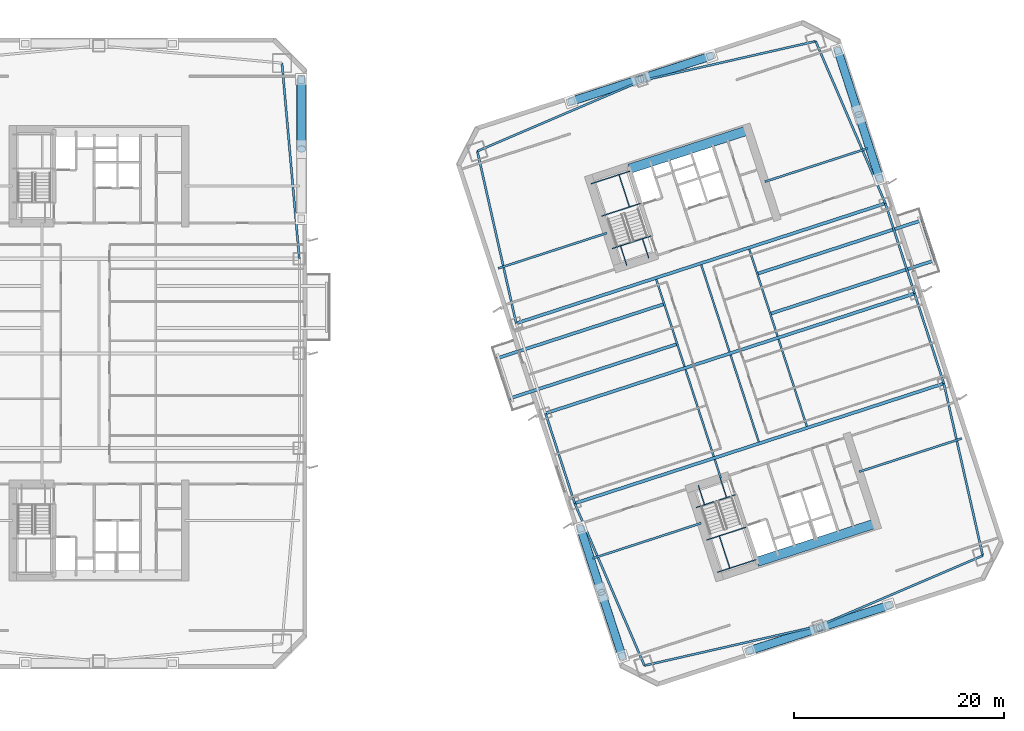
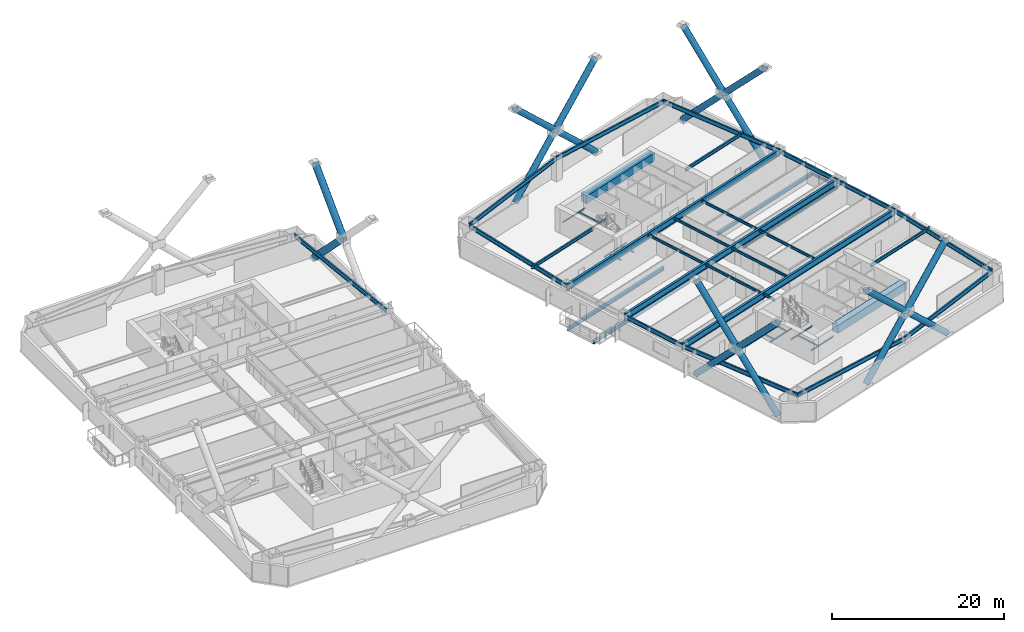
# One storey, part 2 of 18: 45 beams, 18 members.
"""IFC4 building model written with IfcOpenShell, lengths in metres."""

import ifcopenshell
import ifcopenshell.guid

model = None  # the IFC model being written
_history = None  # IfcOwnerHistory: only IFC2X3 demands one
_inside = {}  # id of a spatial element -> (the spatial element, [elements in it])
_under = {}  # id of a project, library or spatial element -> (it, [spatial elements below it])
_declared = {}  # id of a project -> (the project, [libraries it declares])
_typed = {}  # id of a type object -> (the type object, [elements of that type])
_made_of = {}  # id of a material, layer set ... -> (it, [elements and type objects made of it])


def new_model(schema):
    """Start an empty IFC model of exactly this schema.

    Asked for "IFC4X3", IfcOpenShell would pick the latest addendum, in which some entities
    have other attributes; the version numbers below select the first issue.
    IFC2X3 requires an IfcOwnerHistory on every rooted entity: one is made here for all.
    """
    global model, _history
    if schema == "IFC4X3":
        model = ifcopenshell.file(schema_version=(4, 3, 0, 0))
    else:
        model = ifcopenshell.file(schema=schema)
    _inside.clear()
    _under.clear()
    _declared.clear()
    _typed.clear()
    _made_of.clear()
    _history = None
    if model.schema == "IFC2X3":
        org = make("IfcOrganization", Name="unknown")
        user = make(
            "IfcPersonAndOrganization",
            ThePerson=make("IfcPerson", FamilyName="unknown"),
            TheOrganization=org,
        )
        app = make(
            "IfcApplication",
            ApplicationDeveloper=org,
            Version="unknown",
            ApplicationFullName="unknown",
            ApplicationIdentifier="unknown",
        )
        _history = make(
            "IfcOwnerHistory",
            OwningUser=user,
            OwningApplication=app,
            ChangeAction="ADDED",
            CreationDate=0,
        )
    return model


def make(cls, **values):
    """One entity of the class cls with the attributes given. An attribute that is None is left unset."""
    return model.create_entity(
        cls, **{name: value for name, value in values.items() if value is not None}
    )


def rooted(cls, **values):
    """An entity with a GlobalId (a new one), such as an element, a storey or a relation."""
    return make(cls, GlobalId=ifcopenshell.guid.new(), OwnerHistory=_history, **values)


def si_unit(unit_type, name, prefix=None):
    """IfcSIUnit, for example si_unit("LENGTHUNIT", "METRE", prefix="MILLI")."""
    return make("IfcSIUnit", UnitType=unit_type, Prefix=prefix, Name=name)


def assignment(units):
    """IfcUnitAssignment: the units of a project."""
    return None if units is None else make("IfcUnitAssignment", Units=units)


def point(xyz):
    """IfcCartesianPoint."""
    return None if xyz is None else make("IfcCartesianPoint", Coordinates=xyz)


def direction(xyz):
    """IfcDirection."""
    return None if xyz is None else make("IfcDirection", DirectionRatios=xyz)


def frame(location, z_axis=None, x_axis=None):
    """IfcAxis2Placement3D, a coordinate frame: its origin and axes. An axis left out is left unset."""
    return make(
        "IfcAxis2Placement3D",
        Location=point(location),
        Axis=direction(z_axis),
        RefDirection=direction(x_axis),
    )


def frame_2d(location, x_axis=None):
    """IfcAxis2Placement2D, a coordinate frame in the plane: its origin and x axis."""
    return make(
        "IfcAxis2Placement2D", Location=point(location), RefDirection=direction(x_axis)
    )


def origin():
    """The frame at (0, 0, 0) with its axes left unset."""
    return frame((0.0, 0.0, 0.0))


def origin_2d():
    """The frame at (0, 0) in the plane with its x axis left unset."""
    return frame_2d((0.0, 0.0))


def place(relative_to, where):
    """IfcLocalPlacement: puts the frame where relative to a parent placement (None: the world)."""
    return make(
        "IfcLocalPlacement", PlacementRelTo=relative_to, RelativePlacement=where
    )


def context(
    kind, dimensions, precision=None, world=None, true_north=None, identifier=None
):
    """IfcGeometricRepresentationContext, for example the 3D "Model" context."""
    return make(
        "IfcGeometricRepresentationContext",
        ContextIdentifier=identifier,
        ContextType=kind,
        CoordinateSpaceDimension=dimensions,
        Precision=precision,
        WorldCoordinateSystem=world,
        TrueNorth=true_north,
    )


def subcontext(parent, identifier, kind, view, scale=None):
    """IfcGeometricRepresentationSubContext, for example "Body" below "Model"."""
    return make(
        "IfcGeometricRepresentationSubContext",
        ContextIdentifier=identifier,
        ContextType=kind,
        ParentContext=parent,
        TargetScale=scale,
        TargetView=view,
    )


def project(units=None, contexts=None):
    """IfcProject with its units and contexts."""
    return rooted(
        "IfcProject",
        Name="project",
        RepresentationContexts=contexts,
        UnitsInContext=assignment(units),
    )


def spatial(cls, under=None, at=None, **own):
    """A site, building, storey or space (cls), placed at a placement, below another one or the project."""
    s = rooted(cls, ObjectPlacement=at, **own)
    if under is not None:
        _under.setdefault(under.id(), (under, []))[1].append(s)
    return s


def profile(cls, at=None, kind="AREA", **sizes):
    """A parametric profile (cls). Its sizes go by their IFC names, for example OverallWidth=200.0."""
    return make(cls, ProfileType=kind, Position=at, **sizes)


def rectangle(**sizes):
    """IfcRectangleProfileDef."""
    return profile("IfcRectangleProfileDef", **sizes)


def hollow_circle(**sizes):
    """IfcCircleHollowProfileDef."""
    return profile("IfcCircleHollowProfileDef", **sizes)


def i_section(**sizes):
    """IfcIShapeProfileDef."""
    return profile("IfcIShapeProfileDef", **sizes)


def extrude(swept, where, along, depth):
    """IfcExtrudedAreaSolid: the profile swept, set in the frame where, extruded along a direction by depth."""
    return make(
        "IfcExtrudedAreaSolid",
        SweptArea=swept,
        Position=where,
        ExtrudedDirection=direction(along),
        Depth=depth,
    )


def shape(context_of_items, identifier, shape_type, items):
    """IfcShapeRepresentation: the items that make up one representation, for example the "Body"."""
    return make(
        "IfcShapeRepresentation",
        ContextOfItems=context_of_items,
        RepresentationIdentifier=identifier,
        RepresentationType=shape_type,
        Items=items,
    )


def material(Name=None, Category=None):
    """IfcMaterial."""
    return make("IfcMaterial", Name=Name, Category=Category)


def material_profile(
    of_material, cross_section, Name=None, Category=None, Priority=None
):
    """IfcMaterialProfile: a cross section and its material."""
    return make(
        "IfcMaterialProfile",
        Name=Name,
        Material=of_material,
        Profile=cross_section,
        Priority=Priority,
        Category=Category,
    )


def profile_set(profiles, Name=None, composite=None):
    """IfcMaterialProfileSet."""
    return make(
        "IfcMaterialProfileSet",
        Name=Name,
        MaterialProfiles=profiles,
        CompositeProfile=composite,
    )


def made_of(thing, what):
    """Note that an element or type object is made of a material, layer set ...; save() writes the relation."""
    if what is not None:
        _made_of.setdefault(what.id(), (what, []))[1].append(thing)
    return thing


def type_object(cls, material=None, **own):
    """A type object (cls), such as IfcWallType, which elements share."""
    return made_of(rooted(cls, **own), material)


def element(
    cls,
    number,
    at=None,
    inside=None,
    cuts=None,
    type_object=None,
    material=None,
    context=None,
    identifier="Body",
    shape_type=None,
    held_by="IfcProductDefinitionShape",
    body=None,
    shapes=None,
    **own,
):
    """One element of the class cls, such as IfcWall. Its Tag is "e" and its number.

    at: its placement. inside: the storey or other place that contains it. cuts: it is an
    opening in that element (IfcRelVoidsElement). A single representation is given by context,
    identifier, shape_type and body (its items); several are given by shapes. held_by: the class
    of the entity that holds the representations. save() writes the other relations.
    """
    e = rooted(cls, Tag="e%d" % number, ObjectPlacement=at, **own)
    if body is not None:
        shapes = [shape(context, identifier, shape_type, body)]
    if shapes is not None:
        e.Representation = make(held_by, Representations=shapes)
    if inside is not None:
        _inside.setdefault(inside.id(), (inside, []))[1].append(e)
    if cuts is not None:
        rooted(
            "IfcRelVoidsElement", RelatingBuildingElement=cuts, RelatedOpeningElement=e
        )
    if type_object is not None:
        _typed.setdefault(type_object.id(), (type_object, []))[1].append(e)
    return made_of(e, material)


def aggregate(whole, parts):
    """IfcRelAggregates: a whole, such as a stair, and the parts it consists of."""
    return rooted("IfcRelAggregates", RelatingObject=whole, RelatedObjects=parts)


def save(model, path):
    """Write the relations noted so far, then the file.

    IfcRelAggregates (storeys below a building ...), IfcRelContainedInSpatialStructure (elements
    in a storey), IfcRelDefinesByType, IfcRelAssociatesMaterial and IfcRelDeclares: one each for
    every whole, place, type object, material and project.
    """
    for whole, parts in _under.values():
        aggregate(whole, parts)
    for where, things in _inside.values():
        rooted(
            "IfcRelContainedInSpatialStructure",
            RelatedElements=things,
            RelatingStructure=where,
        )
    for kind, things in _typed.values():
        rooted("IfcRelDefinesByType", RelatedObjects=things, RelatingType=kind)
    for what, things in _made_of.values():
        rooted("IfcRelAssociatesMaterial", RelatedObjects=things, RelatingMaterial=what)
    for by, libraries in _declared.values():
        rooted("IfcRelDeclares", RelatingContext=by, RelatedDefinitions=libraries)
    model.write(path)


model = new_model("IFC4")

# Units and contexts
model_context = context("Model", 3, precision=1e-05, world=origin(), true_north=direction((0.0, 1.0)))
body_context = subcontext(model_context, "Body", "Model", "MODEL_VIEW")
ifc_project = project(units=[si_unit("LENGTHUNIT", "METRE"), si_unit("AREAUNIT", "SQUARE_METRE"), si_unit("VOLUMEUNIT", "CUBIC_METRE"), si_unit("PLANEANGLEUNIT", "RADIAN"), si_unit("MASSUNIT", "GRAM", prefix="KILO")], contexts=[model_context])

# Site, building, storey
site_placement = place(None, origin())
site = spatial("IfcSite", under=ifc_project, at=site_placement, CompositionType="ELEMENT")
building_placement = place(site_placement, origin())
building = spatial("IfcBuilding", under=site, at=building_placement, Name="Qiaolan Cultural Towers", CompositionType="ELEMENT")
storey_placement = place(building_placement, frame((0.0, 0.0, 57.5)))
storey = spatial("IfcBuildingStorey", under=building, at=storey_placement, Name="L13", CompositionType="ELEMENT", Elevation=57.5)

# Beams
ifc_material_1 = material(Name="Steel Q355B", Category="steel")
ifc_material_profile_1 = material_profile(ifc_material_1, i_section(OverallWidth=0.300048828125, OverallDepth=0.488037109375, WebThickness=0.010986328125, FlangeThickness=0.01806640625, at=origin_2d()), Name="HM488x300x11x18")
ifc_profile_set_1 = profile_set([ifc_material_profile_1], Name="Steel Q355B")
beam_type_1 = type_object("IfcBeamType", Name="BM-HM488x300x11x18", PredefinedType="BEAM", material=ifc_profile_set_1)
for number, where, z_axis, x_axis, name in (
    (1, (84.978515625, 34.891845703125, -0.52392578125), (-0.951056559899, -0.309016860175, 0.0), (0.309016860175, -0.951056559899, 0.0), "L13 T2 Tree Balcony Back-Spanned Bracket Beam"),
    (2, (83.742431640625, 38.6962890625, -0.52392578125), (-0.951056559899, -0.309016860175, 0.0), (0.309016860175, -0.951056559899, 0.0), "L13 T2 Tree Balcony Back-Spanned Bracket Beam"),
):
    element("IfcBeam", number, at=place(storey_placement, frame(where, z_axis=z_axis, x_axis=x_axis)), inside=storey, type_object=beam_type_1, Name=name, PredefinedType="BEAM", context=body_context, shape_type="SweptSolid", body=[
        extrude(i_section(OverallWidth=0.300048828125, OverallDepth=0.488037109375, WebThickness=0.010986328125, FlangeThickness=0.01806640625, at=origin_2d()), origin(), (0.0, 0.0, 1.0), 16.75),
    ])
for number, where, z_axis, x_axis, name in (
    (3, (93.823486328125, 37.765869140625, -0.52392578125), (0.951057297292, 0.309014590704, 0.0), (-0.309014590704, 0.951057297292, 0.0), "L13 T2 Tree Balcony Back-Spanned Bracket Beam"),
    (4, (92.58740234375, 41.570068359375, -0.52392578125), (0.951057297292, 0.309014590704, 0.0), (-0.309014590704, 0.951057297292, 0.0), "L13 T2 Tree Balcony Back-Spanned Bracket Beam"),
):
    element("IfcBeam", number, at=place(storey_placement, frame(where, z_axis=z_axis, x_axis=x_axis)), inside=storey, type_object=beam_type_1, Name=name, PredefinedType="BEAM", context=body_context, shape_type="SweptSolid", body=[
        extrude(i_section(OverallWidth=0.300048828125, OverallDepth=0.488037109375, WebThickness=0.010986328125, FlangeThickness=0.01806640625, at=origin_2d()), origin(), (0.0, 0.0, 1.0), 16.449951171875),
    ])
ifc_material_2 = material(Name="Steel Q355B", Category="steel")
ifc_material_profile_2 = material_profile(ifc_material_2, i_section(OverallWidth=0.300048828125, OverallDepth=0.89990234375, WebThickness=0.01611328125, FlangeThickness=0.028076171875, at=origin_2d()), Name="HN900x300x16x28")
ifc_profile_set_2 = profile_set([ifc_material_profile_2], Name="Steel Q355B")
beam_type_2 = type_object("IfcBeamType", Name="BM-HN900x300x16x28", PredefinedType="BEAM", material=ifc_profile_set_2)
beam_1_placement = place(storey_placement, frame((75.234130859375, 19.739013671875, 2.739990234375), z_axis=(0.951055702987, 0.309019497469, 0.0), x_axis=(-0.309019497469, 0.951055702987, 0.0)))
element("IfcBeam", 5, at=beam_1_placement, inside=storey, type_object=beam_type_2, Name="L13 T2 Primary Transverse Girder V1", PredefinedType="BEAM", context=body_context, shape_type="SweptSolid", body=[
    extrude(i_section(OverallWidth=0.300048828125, OverallDepth=0.89990234375, WebThickness=0.01611328125, FlangeThickness=0.028076171875, at=origin_2d()), origin(), (0.0, 0.0, 1.0), 36.900146484375),
])
beam_2_placement = place(storey_placement, frame((72.453125, 28.298583984375, 2.739990234375), z_axis=(0.951055071173, 0.309021441968, 0.0), x_axis=(-0.309021441968, 0.951055071173, 0.0)))
element("IfcBeam", 6, at=beam_2_placement, inside=storey, type_object=beam_type_2, Name="L13 T2 Primary Transverse Girder V2", PredefinedType="BEAM", context=body_context, shape_type="SweptSolid", body=[
    extrude(i_section(OverallWidth=0.300048828125, OverallDepth=0.89990234375, WebThickness=0.01611328125, FlangeThickness=0.028076171875, at=origin_2d()), origin(), (0.0, 0.0, 1.0), 36.89990234375),
])
beam_3_placement = place(storey_placement, frame((69.671875, 36.858154296875, 2.739990234375), z_axis=(0.951055702987, 0.309019497469, 0.0), x_axis=(-0.309019497469, 0.951055702987, 0.0)))
element("IfcBeam", 7, at=beam_3_placement, inside=storey, type_object=beam_type_2, Name="L13 T2 Primary Transverse Girder V3", PredefinedType="BEAM", context=body_context, shape_type="SweptSolid", body=[
    extrude(i_section(OverallWidth=0.300048828125, OverallDepth=0.89990234375, WebThickness=0.01611328125, FlangeThickness=0.028076171875, at=origin_2d()), origin(), (0.0, 0.0, 1.0), 36.900146484375),
])
ifc_material_3 = material(Name="Steel Q355B", Category="steel")
ifc_material_profile_3 = material_profile(ifc_material_3, i_section(OverallWidth=0.175048828125, OverallDepth=0.35009765625, WebThickness=0.007080078125, FlangeThickness=0.010986328125, at=origin_2d()), Name="HN350x175x7x11")
ifc_profile_set_3 = profile_set([ifc_material_profile_3], Name="Steel Q355B")
beam_type_3 = type_object("IfcBeamType", Name="BM-JST-HN350x175x7x11", PredefinedType="JOIST", material=ifc_profile_set_3)
beam_4_placement = place(storey_placement, frame((109.46826171875, 42.84912109375, -0.52392578125), z_axis=(-0.309022586479, 0.951054699292, 0.0), x_axis=(-0.951054699292, -0.309022586479, 0.0)))
element("IfcBeam", 8, at=beam_4_placement, inside=storey, type_object=beam_type_3, Name="L13 T2 Tree Balcony Outer Edge Beam", PredefinedType="JOIST", context=body_context, shape_type="SweptSolid", body=[
    extrude(i_section(OverallWidth=0.175048828125, OverallDepth=0.35009765625, WebThickness=0.007080078125, FlangeThickness=0.010986328125, at=origin_2d()), origin(), (0.0, 0.0, 1.0), 4.0),
])
beam_5_placement = place(storey_placement, frame((89.119384765625, 22.147705078125, 3.014892578125), z_axis=(-0.308933885266, 0.951083516067, 0.0), x_axis=(-0.951083516067, -0.308933885266, 0.0)))
element("IfcBeam", 9, at=beam_5_placement, inside=storey, type_object=beam_type_3, Name="L13 T2 Secondary Floor Joist U1-1", PredefinedType="JOIST", context=body_context, shape_type="SweptSolid", body=[
    extrude(i_section(OverallWidth=0.175048828125, OverallDepth=0.35009765625, WebThickness=0.007080078125, FlangeThickness=0.010986328125, at=origin_2d()), origin(), (0.0, 0.0, 1.0), 1.85009765625),
])
for number, where, z_axis, x_axis, name in (
    (10, (88.455078125, 24.192626953125, 3.014892578125), (-0.309020714809, 0.951055307445, 0.0), (-0.951055307445, -0.309020714809, 0.0), "L13 T2 Secondary Floor Joist U1-2"),
    (11, (85.673828125, 32.752197265625, 3.014892578125), (-0.309020714809, 0.951055307445, 0.0), (-0.951055307445, -0.309020714809, 0.0), "L13 T2 Secondary Floor Joist U1-3"),
    (12, (92.73486328125, 25.583251953125, 3.014892578125), (-0.309020714809, 0.951055307445, 0.0), (-0.951055307445, -0.309020714809, 0.0), "L13 T2 Secondary Floor Joist U2-2"),
    (13, (89.95361328125, 34.142578125, 3.014892578125), (-0.309020714809, 0.951055307445, 0.0), (-0.951055307445, -0.309020714809, 0.0), "L13 T2 Secondary Floor Joist U2-3"),
    (14, (97.2998046875, 27.06640625, 3.014892578125), (-0.309020714809, 0.951055307445, 0.0), (-0.951055307445, -0.309020714809, 0.0), "L13 T2 Secondary Floor Joist U3-2"),
    (15, (94.518798828125, 35.6259765625, 3.014892578125), (-0.309020714809, 0.951055307445, 0.0), (-0.951055307445, -0.309020714809, 0.0), "L13 T2 Secondary Floor Joist U3-3"),
):
    element("IfcBeam", number, at=place(storey_placement, frame(where, z_axis=z_axis, x_axis=x_axis)), inside=storey, type_object=beam_type_3, Name=name, PredefinedType="JOIST", context=body_context, shape_type="SweptSolid", body=[
        extrude(i_section(OverallWidth=0.175048828125, OverallDepth=0.35009765625, WebThickness=0.007080078125, FlangeThickness=0.010986328125, at=origin_2d()), origin(), (0.0, 0.0, 1.0), 8.699951171875),
    ])
ifc_material_4 = material(Name="Steel Q355B", Category="steel")
ifc_material_profile_4 = material_profile(ifc_material_4, i_section(OverallWidth=0.199951171875, OverallDepth=0.449951171875, WebThickness=0.009033203125, FlangeThickness=0.013916015625, at=origin_2d()), Name="HN450x200x9x14")
ifc_profile_set_4 = profile_set([ifc_material_profile_4], Name="Steel Q355B")
beam_type_4 = type_object("IfcBeamType", Name="BM-LNT-HN450x200x9x14", PredefinedType="LINTEL", material=ifc_profile_set_4)
beam_6_placement = place(storey_placement, frame((87.252685546875, 17.861083984375, 2.965087890625), z_axis=(-0.95105688584, -0.30901585703, 0.0), x_axis=(0.30901585703, -0.95105688584, 0.0)))
element("IfcBeam", 16, at=beam_6_placement, inside=storey, type_object=beam_type_4, Name="L13 T2 Core Flank Tie Lintel WS", PredefinedType="LINTEL", context=body_context, shape_type="SweptSolid", body=[
    extrude(i_section(OverallWidth=0.199951171875, OverallDepth=0.449951171875, WebThickness=0.009033203125, FlangeThickness=0.013916015625, at=origin_2d()), origin(), (0.0, 0.0, 1.0), 10.849853515625),
])
beam_7_placement = place(storey_placement, frame((78.291259765625, 45.44189453125, 2.965087890625), z_axis=(-0.951052421511, -0.309029596542, 0.0), x_axis=(0.309029596542, -0.951052421511, 0.0)))
element("IfcBeam", 17, at=beam_7_placement, inside=storey, type_object=beam_type_4, Name="L13 T2 Core Flank Tie Lintel WN", PredefinedType="LINTEL", context=body_context, shape_type="SweptSolid", body=[
    extrude(i_section(OverallWidth=0.199951171875, OverallDepth=0.449951171875, WebThickness=0.009033203125, FlangeThickness=0.013916015625, at=origin_2d()), origin(), (0.0, 0.0, 1.0), 10.85009765625),
])
beam_8_placement = place(storey_placement, frame((102.279296875, 22.74365234375, 2.965087890625), z_axis=(0.951056820587, 0.309016057859, 0.0), x_axis=(-0.309016057859, 0.951056820587, 0.0)))
element("IfcBeam", 18, at=beam_8_placement, inside=storey, type_object=beam_type_4, Name="L13 T2 Core Flank Tie Lintel ES", PredefinedType="LINTEL", context=body_context, shape_type="SweptSolid", body=[
    extrude(i_section(OverallWidth=0.199951171875, OverallDepth=0.449951171875, WebThickness=0.009033203125, FlangeThickness=0.013916015625, at=origin_2d()), origin(), (0.0, 0.0, 1.0), 10.250244140625),
])
beam_9_placement = place(storey_placement, frame((93.31787109375, 50.32421875, 2.965087890625), z_axis=(0.951054546097, 0.309023057955, 0.0), x_axis=(-0.309023057955, 0.951054546097, 0.0)))
element("IfcBeam", 19, at=beam_9_placement, inside=storey, type_object=beam_type_4, Name="L13 T2 Core Flank Tie Lintel EN", PredefinedType="LINTEL", context=body_context, shape_type="SweptSolid", body=[
    extrude(i_section(OverallWidth=0.199951171875, OverallDepth=0.449951171875, WebThickness=0.009033203125, FlangeThickness=0.013916015625, at=origin_2d()), origin(), (0.0, 0.0, 1.0), 10.25),
])
ifc_material_5 = material(Name="Concrete C50", Category="concrete")
ifc_material_profile_5 = material_profile(ifc_material_5, rectangle(XDim=0.89990234375, YDim=1.10009765625, at=origin_2d()), Name="RC900x1100")
ifc_profile_set_5 = profile_set([ifc_material_profile_5], Name="Concrete C50")
beam_type_5 = type_object("IfcBeamType", Name="BM-RC900x1100", PredefinedType="BEAM", material=ifc_profile_set_5)
for number, where, z_axis, x_axis, name in (
    (20, (92.572265625, 14.174560546875, 2.639892578125), (0.951056266386, 0.309017763514, 0.0), (-0.309017763514, 0.951056266386, 0.0), "L13 T2 Core Header Girder S"),
    (21, (80.427978515625, 51.551025390625, 2.639892578125), (0.951056266386, 0.309017763514, 0.0), (-0.309017763514, 0.951056266386, 0.0), "L13 T2 Core Header Girder N"),
):
    element("IfcBeam", number, at=place(storey_placement, frame(where, z_axis=z_axis, x_axis=x_axis)), inside=storey, type_object=beam_type_5, Name=name, PredefinedType="BEAM", context=body_context, shape_type="SweptSolid", body=[
        extrude(rectangle(XDim=0.89990234375, YDim=1.10009765625, at=origin_2d()), origin(), (0.0, 0.0, 1.0), 11.880126953125),
    ])
ifc_material_6 = material(Name="Steel Q355B", Category="steel")
ifc_material_profile_6 = material_profile(ifc_material_6, i_section(OverallWidth=0.199951171875, OverallDepth=0.60009765625, WebThickness=0.010986328125, FlangeThickness=0.01708984375, at=origin_2d()), Name="HN600x200x11x17")
ifc_profile_set_6 = profile_set([ifc_material_profile_6], Name="Steel Q355B")
beam_type_6 = type_object("IfcBeamType", Name="BM-SPD-HN600x200x11x17", PredefinedType="SPANDREL", material=ifc_profile_set_6)
beam_10_placement = place(storey_placement, frame((49.050048828125, 43.0, 2.889892578125), z_axis=(-0.08837000091, 0.996087718496, 0.0), x_axis=(-0.996087718496, -0.08837000091, 0.0)))
element("IfcBeam", 22, at=beam_10_placement, inside=storey, type_object=beam_type_6, Name="L13 T1 Perimeter Spandrel Beam 6", PredefinedType="SPANDREL", context=body_context, shape_type="SweptSolid", body=[
    extrude(i_section(OverallWidth=0.199951171875, OverallDepth=0.60009765625, WebThickness=0.010986328125, FlangeThickness=0.01708984375, at=origin_2d()), origin(), (0.0, 0.0, 1.0), 18.673095703125),
])
for number, where, z_axis, x_axis, name in (
    (23, (81.862548828125, 4.32275390625, 2.889892578125), (0.975161095889, 0.221496810506, 0.0), (-0.221496810506, 0.975161095889, 0.0), "L13 T2 Perimeter Spandrel Beam 1"),
    (24, (98.420654296875, 8.083740234375, 2.889892578125), (0.919108584923, 0.394004326272, 0.0), (-0.394004326272, 0.919108584923, 0.0), "L13 T2 Perimeter Spandrel Beam 2"),
):
    element("IfcBeam", number, at=place(storey_placement, frame(where, z_axis=z_axis, x_axis=x_axis)), inside=storey, type_object=beam_type_6, Name=name, PredefinedType="SPANDREL", context=body_context, shape_type="SweptSolid", body=[
        extrude(i_section(OverallWidth=0.199951171875, OverallDepth=0.60009765625, WebThickness=0.010986328125, FlangeThickness=0.01708984375, at=origin_2d()), origin(), (0.0, 0.0, 1.0), 16.97998046875),
    ])
beam_11_placement = place(storey_placement, frame((114.027099609375, 14.77392578125, 2.889892578125), z_axis=(-0.220430557386, 0.975402670373, 0.0), x_axis=(-0.975402670373, -0.220430557386, 0.0)))
element("IfcBeam", 25, at=beam_11_placement, inside=storey, type_object=beam_type_6, Name="L13 T2 Perimeter Spandrel Beam 3", PredefinedType="SPANDREL", context=body_context, shape_type="SweptSolid", body=[
    extrude(i_section(OverallWidth=0.199951171875, OverallDepth=0.60009765625, WebThickness=0.010986328125, FlangeThickness=0.01708984375, at=origin_2d()), origin(), (0.0, 0.0, 1.0), 16.78076171875),
])
for number, where, z_axis, x_axis, name in (
    (26, (110.328125, 31.141845703125, 2.889892578125), (-0.309024734286, 0.951054001411, 0.0), (-0.951054001411, -0.309024734286, 0.0), "L13 T2 Perimeter Spandrel Beam 4"),
    (27, (107.546875, 39.701416015625, 2.889892578125), (-0.309000197986, 0.951061973609, 0.0), (-0.951061973609, -0.309000197986, 0.0), "L13 T2 Perimeter Spandrel Beam 5"),
):
    element("IfcBeam", number, at=place(storey_placement, frame(where, z_axis=z_axis, x_axis=x_axis)), inside=storey, type_object=beam_type_6, Name=name, PredefinedType="SPANDREL", context=body_context, shape_type="SweptSolid", body=[
        extrude(i_section(OverallWidth=0.199951171875, OverallDepth=0.60009765625, WebThickness=0.010986328125, FlangeThickness=0.01708984375, at=origin_2d()), origin(), (0.0, 0.0, 1.0), 9.0),
    ])
beam_12_placement = place(storey_placement, frame((104.765869140625, 48.260986328125, 2.889892578125), z_axis=(-0.394998896054, 0.918681594524, 0.0), x_axis=(-0.918681594524, -0.394998896054, 0.0)))
element("IfcBeam", 28, at=beam_12_placement, inside=storey, type_object=beam_type_6, Name="L13 T2 Perimeter Spandrel Beam 6", PredefinedType="SPANDREL", context=body_context, shape_type="SweptSolid", body=[
    extrude(i_section(OverallWidth=0.199951171875, OverallDepth=0.60009765625, WebThickness=0.010986328125, FlangeThickness=0.01708984375, at=origin_2d()), origin(), (0.0, 0.0, 1.0), 16.78076171875),
])
for number, where, z_axis, x_axis, name in (
    (29, (98.137451171875, 63.67724609375, 2.889892578125), (-0.975161095889, -0.221496810506, 0.0), (0.221496810506, -0.975161095889, 0.0), "L13 T2 Perimeter Spandrel Beam 7"),
    (30, (81.579345703125, 59.916259765625, 2.889892578125), (-0.919108584923, -0.394004326272, 0.0), (0.394004326272, -0.919108584923, 0.0), "L13 T2 Perimeter Spandrel Beam 8"),
):
    element("IfcBeam", number, at=place(storey_placement, frame(where, z_axis=z_axis, x_axis=x_axis)), inside=storey, type_object=beam_type_6, Name=name, PredefinedType="SPANDREL", context=body_context, shape_type="SweptSolid", body=[
        extrude(i_section(OverallWidth=0.199951171875, OverallDepth=0.60009765625, WebThickness=0.010986328125, FlangeThickness=0.01708984375, at=origin_2d()), origin(), (0.0, 0.0, 1.0), 16.97998046875),
    ])
beam_13_placement = place(storey_placement, frame((65.972900390625, 53.22607421875, 2.889892578125), z_axis=(0.220430557386, -0.975402670373, 0.0), x_axis=(0.975402670373, 0.220430557386, 0.0)))
element("IfcBeam", 31, at=beam_13_placement, inside=storey, type_object=beam_type_6, Name="L13 T2 Perimeter Spandrel Beam 9", PredefinedType="SPANDREL", context=body_context, shape_type="SweptSolid", body=[
    extrude(i_section(OverallWidth=0.199951171875, OverallDepth=0.60009765625, WebThickness=0.010986328125, FlangeThickness=0.01708984375, at=origin_2d()), origin(), (0.0, 0.0, 1.0), 16.78076171875),
])
beam_14_placement = place(storey_placement, frame((72.453125, 28.298583984375, 2.889892578125), z_axis=(0.309000197986, -0.951061973609, 0.0), x_axis=(0.951061973609, 0.309000197986, 0.0)))
element("IfcBeam", 32, at=beam_14_placement, inside=storey, type_object=beam_type_6, Name="L13 T2 Perimeter Spandrel Beam 11", PredefinedType="SPANDREL", context=body_context, shape_type="SweptSolid", body=[
    extrude(i_section(OverallWidth=0.199951171875, OverallDepth=0.60009765625, WebThickness=0.010986328125, FlangeThickness=0.01708984375, at=origin_2d()), origin(), (0.0, 0.0, 1.0), 9.0),
])
beam_15_placement = place(storey_placement, frame((75.234130859375, 19.739013671875, 2.889892578125), z_axis=(0.394998896054, -0.918681594524, 0.0), x_axis=(0.918681594524, 0.394998896054, 0.0)))
element("IfcBeam", 33, at=beam_15_placement, inside=storey, type_object=beam_type_6, Name="L13 T2 Perimeter Spandrel Beam 12", PredefinedType="SPANDREL", context=body_context, shape_type="SweptSolid", body=[
    extrude(i_section(OverallWidth=0.199951171875, OverallDepth=0.60009765625, WebThickness=0.010986328125, FlangeThickness=0.01708984375, at=origin_2d()), origin(), (0.0, 0.0, 1.0), 16.78076171875),
])
ifc_material_7 = material(Name="Steel Q355B", Category="steel")
ifc_material_profile_7 = material_profile(ifc_material_7, i_section(OverallWidth=0.10009765625, OverallDepth=0.199951171875, WebThickness=0.005615234375, FlangeThickness=0.008056640625, at=origin_2d()), Name="HN200x100x5.5x8")
ifc_profile_set_7 = profile_set([ifc_material_profile_7], Name="Steel Q355B")
beam_type_7 = type_object("IfcBeamType", Name="BM-STTRIM-200", PredefinedType="BEAM", material=ifc_profile_set_7)
beam_16_placement = place(storey_placement, frame((86.770751953125, 19.3447265625, -0.4599609375), z_axis=(0.951047798727, 0.309043823005, 0.0), x_axis=(-0.309043823005, 0.951047798727, 0.0)))
element("IfcBeam", 34, at=beam_16_placement, inside=storey, type_object=beam_type_7, Name="L13 ST-E1 Floor Landing Header Beam", PredefinedType="BEAM", context=body_context, shape_type="SweptSolid", body=[
    extrude(i_section(OverallWidth=0.10009765625, OverallDepth=0.199951171875, WebThickness=0.005615234375, FlangeThickness=0.008056640625, at=origin_2d()), origin(), (0.0, 0.0, 1.0), 3.919921875),
])
for number, where, z_axis, x_axis, name in (
    (35, (86.9794921875, 21.452392578125, -0.4599609375), (0.309083226701, -0.951034993558, 0.0), (0.951034993558, 0.309083226701, 0.0), "L13 ST-E1 Floor Landing Stringer 1"),
    (36, (89.07177734375, 22.13232421875, -0.4599609375), (0.309083226701, -0.951034993558, 0.0), (0.951034993558, 0.309083226701, 0.0), "L13 ST-E1 Floor Landing Stringer 2"),
):
    element("IfcBeam", number, at=place(storey_placement, frame(where, z_axis=z_axis, x_axis=x_axis)), inside=storey, type_object=beam_type_7, Name=name, PredefinedType="BEAM", context=body_context, shape_type="SweptSolid", body=[
        extrude(i_section(OverallWidth=0.10009765625, OverallDepth=0.199951171875, WebThickness=0.005615234375, FlangeThickness=0.008056640625, at=origin_2d()), origin(), (0.0, 0.0, 1.0), 1.93994140625),
    ])
for number, where, z_axis, x_axis, name in (
    (37, (87.774658203125, 16.255126953125, 1.425048828125), (0.951047798727, 0.309043823005, 0.0), (-0.309043823005, 0.951047798727, 0.0), "L13 ST-E1 Stair Landing Support Beam 1-1"),
    (38, (88.773193359375, 13.181884765625, 1.425048828125), (0.951047798727, 0.309043823005, 0.0), (-0.309043823005, 0.951047798727, 0.0), "L13 ST-E1 Stair Landing Support Beam 1-2"),
):
    element("IfcBeam", number, at=place(storey_placement, frame(where, z_axis=z_axis, x_axis=x_axis)), inside=storey, type_object=beam_type_7, Name=name, PredefinedType="BEAM", context=body_context, shape_type="SweptSolid", body=[
        extrude(i_section(OverallWidth=0.10009765625, OverallDepth=0.199951171875, WebThickness=0.005615234375, FlangeThickness=0.008056640625, at=origin_2d()), origin(), (0.0, 0.0, 1.0), 3.919921875),
    ])
beam_17_placement = place(storey_placement, frame((88.982421875, 16.6474609375, 1.425048828125), z_axis=(0.309033108495, -0.951051280349, 0.0), x_axis=(0.951051280349, 0.309033108495, 0.0)))
element("IfcBeam", 39, at=beam_17_placement, inside=storey, type_object=beam_type_7, Name="L13 ST-E1 Stair Landing Trimmer 1", PredefinedType="BEAM", context=body_context, shape_type="SweptSolid", body=[
    extrude(i_section(OverallWidth=0.10009765625, OverallDepth=0.199951171875, WebThickness=0.005615234375, FlangeThickness=0.008056640625, at=origin_2d()), origin(), (0.0, 0.0, 1.0), 3.231201171875),
])
beam_18_placement = place(storey_placement, frame((78.773193359375, 43.958251953125, -0.4599609375), z_axis=(0.951072048947, 0.3089691857, 0.0), x_axis=(-0.3089691857, 0.951072048947, 0.0)))
element("IfcBeam", 40, at=beam_18_placement, inside=storey, type_object=beam_type_7, Name="L13 ST-E2 Floor Landing Header Beam", PredefinedType="BEAM", context=body_context, shape_type="SweptSolid", body=[
    extrude(i_section(OverallWidth=0.10009765625, OverallDepth=0.199951171875, WebThickness=0.005615234375, FlangeThickness=0.008056640625, at=origin_2d()), origin(), (0.0, 0.0, 1.0), 3.920166015625),
])
for number, where, z_axis, x_axis, name in (
    (41, (80.18115234375, 42.375732421875, -0.4599609375), (-0.308969394428, 0.951071981138, 0.0), (-0.951071981138, -0.308969394428, 0.0), "L13 ST-E2 Floor Landing Stringer 1"),
    (42, (82.2734375, 43.0556640625, -0.4599609375), (-0.308969394428, 0.951071981138, 0.0), (-0.951071981138, -0.308969394428, 0.0), "L13 ST-E2 Floor Landing Stringer 2"),
):
    element("IfcBeam", number, at=place(storey_placement, frame(where, z_axis=z_axis, x_axis=x_axis)), inside=storey, type_object=beam_type_7, Name=name, PredefinedType="BEAM", context=body_context, shape_type="SweptSolid", body=[
        extrude(i_section(OverallWidth=0.10009765625, OverallDepth=0.199951171875, WebThickness=0.005615234375, FlangeThickness=0.008056640625, at=origin_2d()), origin(), (0.0, 0.0, 1.0), 1.93994140625),
    ])
for number, where, z_axis, x_axis, name in (
    (43, (77.769287109375, 47.0478515625, 1.425048828125), (0.951053746643, 0.309025518358, 0.0), (-0.309025518358, 0.951053746643, 0.0), "L13 ST-E2 Stair Landing Support Beam 1-1"),
    (44, (76.770751953125, 50.12109375, 1.425048828125), (0.951072048947, 0.3089691857, 0.0), (-0.3089691857, 0.951072048947, 0.0), "L13 ST-E2 Stair Landing Support Beam 1-2"),
):
    element("IfcBeam", number, at=place(storey_placement, frame(where, z_axis=z_axis, x_axis=x_axis)), inside=storey, type_object=beam_type_7, Name=name, PredefinedType="BEAM", context=body_context, shape_type="SweptSolid", body=[
        extrude(i_section(OverallWidth=0.10009765625, OverallDepth=0.199951171875, WebThickness=0.005615234375, FlangeThickness=0.008056640625, at=origin_2d()), origin(), (0.0, 0.0, 1.0), 3.920166015625),
    ])
beam_19_placement = place(storey_placement, frame((80.44189453125, 47.916259765625, 1.425048828125), z_axis=(-0.309033108495, 0.951051280349, 0.0), x_axis=(-0.951051280349, -0.309033108495, 0.0)))
element("IfcBeam", 45, at=beam_19_placement, inside=storey, type_object=beam_type_7, Name="L13 ST-E2 Stair Landing Trimmer 1", PredefinedType="BEAM", context=body_context, shape_type="SweptSolid", body=[
    extrude(i_section(OverallWidth=0.10009765625, OverallDepth=0.199951171875, WebThickness=0.005615234375, FlangeThickness=0.008056640625, at=origin_2d()), origin(), (0.0, 0.0, 1.0), 3.231201171875),
])

# Members
ifc_material_8 = material(Name="Steel Q390GJB", Category="steel")
ifc_material_profile_8 = material_profile(ifc_material_8, hollow_circle(Radius=0.39990234375, WallThickness=0.0400390625, at=origin_2d()), Name="CHS800x40")
ifc_profile_set_8 = profile_set([ifc_material_profile_8], Name="Steel Q390GJB")
member_type_1 = type_object("IfcMemberType", Name="MBR-BRC-CHS800x40", PredefinedType="BRACE", material=ifc_profile_set_8)
member_1_placement = place(storey_placement, frame((79.75634765625, 5.173828125, 0.14990234375), z_axis=(-0.214292515339, 0.659531858571, 0.72048348031), x_axis=(-0.951057523153, -0.309013895568, 0.0)))
element("IfcMember", 46, at=member_1_placement, inside=storey, type_object=member_type_1, Name="T2 WEST Perimeter Frame Diagonal E-Z1-M3-D1A", PredefinedType="BRACE", context=body_context, shape_type="SweptSolid", body=[
    extrude(hollow_circle(Radius=0.39990234375, WallThickness=0.0400390625, at=origin_2d()), origin(), (0.0, 0.0, 1.0), 9.2646484375),
])
for number, where, z_axis, x_axis, name in (
    (47, (77.77099609375, 11.2841796875, 6.824951171875), (-0.214288790995, 0.659546747395, 0.720470958509), (-0.951061151536, -0.309002728207, 0.0), "T2 WEST Perimeter Frame Diagonal E-Z1-M3-D1B"),
    (48, (75.78564453125, 17.394775390625, 0.14990234375), (0.214288790995, -0.659546747395, 0.720470958509), (0.951061151536, 0.309002728207, 0.0), "T2 WEST Perimeter Frame Diagonal E-Z1-M3-D2A"),
):
    element("IfcMember", number, at=place(storey_placement, frame(where, z_axis=z_axis, x_axis=x_axis)), inside=storey, type_object=member_type_1, Name=name, PredefinedType="BRACE", context=body_context, shape_type="SweptSolid", body=[
        extrude(hollow_circle(Radius=0.39990234375, WallThickness=0.0400390625, at=origin_2d()), origin(), (0.0, 0.0, 1.0), 9.264892578125),
    ])
member_2_placement = place(storey_placement, frame((77.77099609375, 11.2841796875, 6.824951171875), z_axis=(0.214292515339, -0.659531858571, 0.72048348031), x_axis=(0.951057523153, 0.309013895568, 0.0)))
element("IfcMember", 49, at=member_2_placement, inside=storey, type_object=member_type_1, Name="T2 WEST Perimeter Frame Diagonal E-Z1-M3-D2B", PredefinedType="BRACE", context=body_context, shape_type="SweptSolid", body=[
    extrude(hollow_circle(Radius=0.39990234375, WallThickness=0.0400390625, at=origin_2d()), origin(), (0.0, 0.0, 1.0), 9.2646484375),
])
member_3_placement = place(storey_placement, frame((104.21435546875, 50.605224609375, 0.14990234375), z_axis=(-0.214288790995, 0.659546747395, 0.720470958509), x_axis=(-0.951061151536, -0.309002728207, 0.0)))
element("IfcMember", 50, at=member_3_placement, inside=storey, type_object=member_type_1, Name="T2 EAST Perimeter Frame Diagonal E-Z1-M3-D1A", PredefinedType="BRACE", context=body_context, shape_type="SweptSolid", body=[
    extrude(hollow_circle(Radius=0.39990234375, WallThickness=0.0400390625, at=origin_2d()), origin(), (0.0, 0.0, 1.0), 9.264892578125),
])
for number, where, z_axis, x_axis, name in (
    (51, (102.22900390625, 56.7158203125, 6.824951171875), (-0.214292515339, 0.659531858571, 0.72048348031), (-0.951057523153, -0.309013895568, 0.0), "T2 EAST Perimeter Frame Diagonal E-Z1-M3-D1B"),
    (52, (100.24365234375, 62.826171875, 0.14990234375), (0.214292515339, -0.659531858571, 0.72048348031), (0.951057523153, 0.309013895568, 0.0), "T2 EAST Perimeter Frame Diagonal E-Z1-M3-D2A"),
):
    element("IfcMember", number, at=place(storey_placement, frame(where, z_axis=z_axis, x_axis=x_axis)), inside=storey, type_object=member_type_1, Name=name, PredefinedType="BRACE", context=body_context, shape_type="SweptSolid", body=[
        extrude(hollow_circle(Radius=0.39990234375, WallThickness=0.0400390625, at=origin_2d()), origin(), (0.0, 0.0, 1.0), 9.2646484375),
    ])
member_4_placement = place(storey_placement, frame((102.22900390625, 56.7158203125, 6.824951171875), z_axis=(0.214288790995, -0.659546747395, 0.720470958509), x_axis=(0.951061151536, 0.309002728207, 0.0)))
element("IfcMember", 53, at=member_4_placement, inside=storey, type_object=member_type_1, Name="T2 EAST Perimeter Frame Diagonal E-Z1-M3-D2B", PredefinedType="BRACE", context=body_context, shape_type="SweptSolid", body=[
    extrude(hollow_circle(Radius=0.39990234375, WallThickness=0.0400390625, at=origin_2d()), origin(), (0.0, 0.0, 1.0), 9.264892578125),
])
member_5_placement = place(storey_placement, frame((91.8251953125, 5.73046875, 0.14990234375), z_axis=(0.688275686288, 0.223636591628, 0.690118290259), x_axis=(-0.309019824916, 0.951055596592, 0.0)))
element("IfcMember", 54, at=member_5_placement, inside=storey, type_object=member_type_1, Name="T2 SOUTH Perimeter Frame Diagonal E-Z1-M3-D1A", PredefinedType="BRACE", context=body_context, shape_type="SweptSolid", body=[
    extrude(hollow_circle(Radius=0.39990234375, WallThickness=0.0400390625, at=origin_2d()), origin(), (0.0, 0.0, 1.0), 9.67236328125),
])
for number, where, z_axis, x_axis, name in (
    (55, (98.482421875, 7.8935546875, 6.824951171875), (0.688288969768, 0.223632706448, 0.690106301016), (-0.309009574742, 0.951058927048, 0.0), "T2 SOUTH Perimeter Frame Diagonal E-Z1-M3-D1B"),
    (56, (105.139892578125, 10.056640625, 0.14990234375), (-0.688288969768, -0.223632706448, 0.690106301016), (0.309009574742, -0.951058927048, 0.0), "T2 SOUTH Perimeter Frame Diagonal E-Z1-M3-D2A"),
):
    element("IfcMember", number, at=place(storey_placement, frame(where, z_axis=z_axis, x_axis=x_axis)), inside=storey, type_object=member_type_1, Name=name, PredefinedType="BRACE", context=body_context, shape_type="SweptSolid", body=[
        extrude(hollow_circle(Radius=0.39990234375, WallThickness=0.0400390625, at=origin_2d()), origin(), (0.0, 0.0, 1.0), 9.672607421875),
    ])
member_6_placement = place(storey_placement, frame((98.482421875, 7.8935546875, 6.824951171875), z_axis=(-0.688275686288, -0.223636591628, 0.690118290259), x_axis=(0.309019824916, -0.951055596592, 0.0)))
element("IfcMember", 57, at=member_6_placement, inside=storey, type_object=member_type_1, Name="T2 SOUTH Perimeter Frame Diagonal E-Z1-M3-D2B", PredefinedType="BRACE", context=body_context, shape_type="SweptSolid", body=[
    extrude(hollow_circle(Radius=0.39990234375, WallThickness=0.0400390625, at=origin_2d()), origin(), (0.0, 0.0, 1.0), 9.67236328125),
])
member_7_placement = place(storey_placement, frame((74.860107421875, 57.943359375, 0.14990234375), z_axis=(0.688288969768, 0.223632706448, 0.690106301016), x_axis=(-0.309009574742, 0.951058927048, 0.0)))
element("IfcMember", 58, at=member_7_placement, inside=storey, type_object=member_type_1, Name="T2 NORTH Perimeter Frame Diagonal E-Z1-M3-D1A", PredefinedType="BRACE", context=body_context, shape_type="SweptSolid", body=[
    extrude(hollow_circle(Radius=0.39990234375, WallThickness=0.0400390625, at=origin_2d()), origin(), (0.0, 0.0, 1.0), 9.672607421875),
])
for number, where, z_axis, x_axis, name in (
    (59, (81.517578125, 60.1064453125, 6.824951171875), (0.688275686288, 0.223636591628, 0.690118290259), (-0.309019824916, 0.951055596592, 0.0), "T2 NORTH Perimeter Frame Diagonal E-Z1-M3-D1B"),
    (60, (88.1748046875, 62.26953125, 0.14990234375), (-0.688275686288, -0.223636591628, 0.690118290259), (0.309019824916, -0.951055596592, 0.0), "T2 NORTH Perimeter Frame Diagonal E-Z1-M3-D2A"),
):
    element("IfcMember", number, at=place(storey_placement, frame(where, z_axis=z_axis, x_axis=x_axis)), inside=storey, type_object=member_type_1, Name=name, PredefinedType="BRACE", context=body_context, shape_type="SweptSolid", body=[
        extrude(hollow_circle(Radius=0.39990234375, WallThickness=0.0400390625, at=origin_2d()), origin(), (0.0, 0.0, 1.0), 9.67236328125),
    ])
member_8_placement = place(storey_placement, frame((81.517578125, 60.1064453125, 6.824951171875), z_axis=(-0.688288969768, -0.223632706448, 0.690106301016), x_axis=(0.309009574742, -0.951058927048, 0.0)))
element("IfcMember", 61, at=member_8_placement, inside=storey, type_object=member_type_1, Name="T2 NORTH Perimeter Frame Diagonal E-Z1-M3-D2B", PredefinedType="BRACE", context=body_context, shape_type="SweptSolid", body=[
    extrude(hollow_circle(Radius=0.39990234375, WallThickness=0.0400390625, at=origin_2d()), origin(), (0.0, 0.0, 1.0), 9.672607421875),
])
ifc_material_9 = material(Name="Steel Q390GJB", Category="steel")
ifc_material_profile_9 = material_profile(ifc_material_9, hollow_circle(Radius=0.449951171875, WallThickness=0.044921875, at=origin_2d()), Name="CHS900x45")
ifc_profile_set_9 = profile_set([ifc_material_profile_9], Name="Steel Q390GJB")
member_type_2 = type_object("IfcMemberType", Name="MBR-BRC-CHS900x45", PredefinedType="BRACE", material=ifc_profile_set_9)
for number, where, z_axis, x_axis, name in (
    (62, (49.25, 53.425048828125, 6.824951171875), (0.0, 0.704440911161, 0.709762638269), (-1.0, 0.0, 0.0), "T1 EAST Perimeter Frame Diagonal W-Z1-M3-D1B"),
    (63, (49.25, 60.050048828125, 0.14990234375), (0.0, -0.704440911161, 0.709762638269), (1.0, 0.0, 0.0), "T1 EAST Perimeter Frame Diagonal W-Z1-M3-D2A"),
):
    element("IfcMember", number, at=place(storey_placement, frame(where, z_axis=z_axis, x_axis=x_axis)), inside=storey, type_object=member_type_2, Name=name, PredefinedType="BRACE", context=body_context, shape_type="SweptSolid", body=[
        extrude(hollow_circle(Radius=0.449951171875, WallThickness=0.044921875, at=origin_2d()), origin(), (0.0, 0.0, 1.0), 9.404541015625),
    ])

save(model, "model.ifc")
